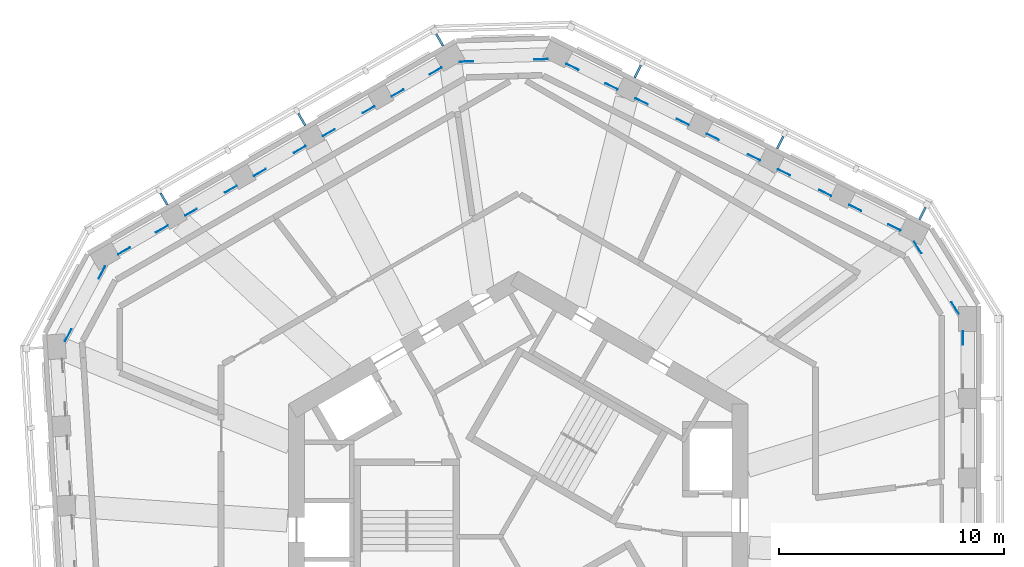
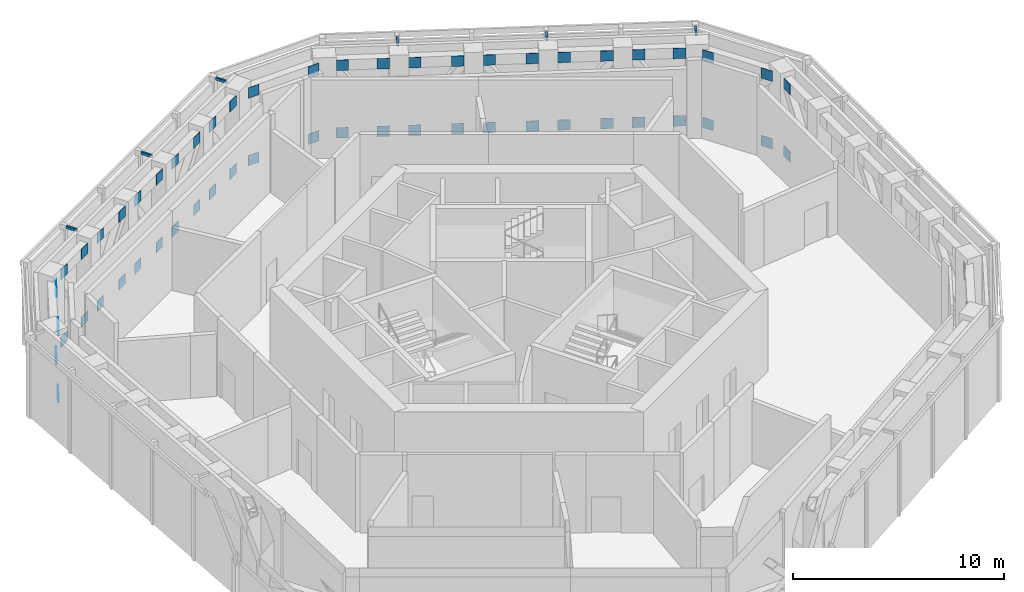
# One storey, part 13 of 14: 60 discrete accessories.
"""IFC4 building model written with IfcOpenShell, lengths in metres."""

from ifc_helpers import new_model, si_unit, direction, frame, origin, origin_2d, place, context, subcontext, project, spatial, rectangle, extrude, material, layer, layer_set, type_object, element, save


model = new_model("IFC4")

# Units and contexts
model_context = context("Model", 3, precision=1e-05, world=origin(), true_north=direction((0.0, 1.0)))
body_context = subcontext(model_context, "Body", "Model", "MODEL_VIEW")
ifc_project = project(units=[si_unit("LENGTHUNIT", "METRE"), si_unit("AREAUNIT", "SQUARE_METRE"), si_unit("VOLUMEUNIT", "CUBIC_METRE"), si_unit("PLANEANGLEUNIT", "RADIAN"), si_unit("MASSUNIT", "GRAM", prefix="KILO")], contexts=[model_context])

# Site, building, storey
site_placement = place(None, origin())
site = spatial("IfcSite", under=ifc_project, at=site_placement, CompositionType="ELEMENT")
building_placement = place(site_placement, origin())
building = spatial("IfcBuilding", under=site, at=building_placement, Name="Vanh Sen Convention Tower", CompositionType="ELEMENT")
storey_placement = place(building_placement, frame((0.0, 0.0, 255.0)))
storey = spatial("IfcBuildingStorey", under=building, at=storey_placement, Name="L63", CompositionType="ELEMENT", Elevation=255.0)

# Discrete accessories
ifc_material_1 = material(Name="Steel S355", Category="steel")
ifc_layer = layer(ifc_material_1, 0.02001953125)
ifc_layer_set = layer_set([ifc_layer], Name="Steel S355")
discrete_accessory_type_1 = type_object("IfcDiscreteAccessoryType", Name="Belt truss gusset plate 600 x 600 x 20", PredefinedType="USERDEFINED", material=ifc_layer_set)
for number, where, z_axis, x_axis, name in (
    (1, (19.739990234375, 8.8203125, 0.0), (0.0, 0.0, 1.0), (0.0, -1.0, 0.0), "GUSSET PLATE belt truss chord bottom 05 L63 end"),
    (2, (19.739990234375, 8.8203125, 3.89990234375), (0.0, 0.0, 1.0), (0.0, -1.0, 0.0), "GUSSET PLATE belt truss chord top 05 L63 end"),
    (3, (19.4033203125, 10.14990234375, 0.0), (0.0, 0.0, 1.0), (-0.526216891938, 0.850350388157, 0.0), "GUSSET PLATE belt truss chord bottom 06 L63 start"),
    (4, (17.7412109375, 12.835693359375, 0.0), (0.0, 0.0, 1.0), (0.526216891938, -0.850350388157, 0.0), "GUSSET PLATE belt truss chord bottom 06 L63 end"),
    (5, (19.4033203125, 10.14990234375, 3.89990234375), (0.0, 0.0, 1.0), (-0.526216891938, 0.850350388157, 0.0), "GUSSET PLATE belt truss chord top 06 L63 start"),
    (6, (17.7412109375, 12.835693359375, 3.89990234375), (0.0, 0.0, 1.0), (0.526216891938, -0.850350388157, 0.0), "GUSSET PLATE belt truss chord top 06 L63 end"),
    (7, (16.70166015625, 13.73046875, 0.0), (0.0, 0.0, 1.0), (-0.894930467757, 0.446205622868, 0.0), "GUSSET PLATE belt truss chord bottom 07 L63 start"),
    (8, (14.962158203125, 14.59765625, 0.0), (0.0, 0.0, 1.0), (0.894930467757, -0.446205622868, 0.0), "GUSSET PLATE belt truss chord bottom 07 L63 end"),
    (9, (16.70166015625, 13.73046875, 3.89990234375), (0.0, 0.0, 1.0), (-0.894930467757, 0.446205622868, 0.0), "GUSSET PLATE belt truss chord top 07 L63 start"),
    (10, (14.962158203125, 14.59765625, 3.89990234375), (0.0, 0.0, 1.0), (0.894930467757, -0.446205622868, 0.0), "GUSSET PLATE belt truss chord top 07 L63 end"),
    (11, (13.62890625, 15.262451171875, 0.0), (0.0, 0.0, 1.0), (-0.894935919121, 0.446194689197, 0.0), "GUSSET PLATE belt truss chord bottom 08 L63 start"),
    (12, (11.7998046875, 16.17431640625, 0.0), (0.0, 0.0, 1.0), (0.894935919121, -0.446194689197, 0.0), "GUSSET PLATE belt truss chord bottom 08 L63 end"),
    (13, (13.62890625, 15.262451171875, 3.89990234375), (0.0, 0.0, 1.0), (-0.894935919121, 0.446194689197, 0.0), "GUSSET PLATE belt truss chord top 08 L63 start"),
    (14, (11.7998046875, 16.17431640625, 3.89990234375), (0.0, 0.0, 1.0), (0.894935919121, -0.446194689197, 0.0), "GUSSET PLATE belt truss chord top 08 L63 end"),
    (15, (10.46630859375, 16.839111328125, 0.0), (0.0, 0.0, 1.0), (-0.894935919121, 0.446194689197, 0.0), "GUSSET PLATE belt truss chord bottom 09 L63 start"),
    (16, (8.637451171875, 17.751220703125, 0.0), (0.0, 0.0, 1.0), (0.894935919121, -0.446194689197, 0.0), "GUSSET PLATE belt truss chord bottom 09 L63 end"),
    (17, (10.46630859375, 16.839111328125, 3.89990234375), (0.0, 0.0, 1.0), (-0.894935919121, 0.446194689197, 0.0), "GUSSET PLATE belt truss chord top 09 L63 start"),
    (18, (8.637451171875, 17.751220703125, 3.89990234375), (0.0, 0.0, 1.0), (0.894935919121, -0.446194689197, 0.0), "GUSSET PLATE belt truss chord top 09 L63 end"),
    (19, (7.303955078125, 18.416015625, 0.0), (0.0, 0.0, 1.0), (-0.894935919121, 0.446194689197, 0.0), "GUSSET PLATE belt truss chord bottom 10 L63 start"),
    (20, (5.47509765625, 19.327880859375, 0.0), (0.0, 0.0, 1.0), (0.894935919121, -0.446194689197, 0.0), "GUSSET PLATE belt truss chord bottom 10 L63 end"),
    (21, (7.303955078125, 18.416015625, 3.89990234375), (0.0, 0.0, 1.0), (-0.894935919121, 0.446194689197, 0.0), "GUSSET PLATE belt truss chord top 10 L63 start"),
    (22, (5.47509765625, 19.327880859375, 3.89990234375), (0.0, 0.0, 1.0), (0.894935919121, -0.446194689197, 0.0), "GUSSET PLATE belt truss chord top 10 L63 end"),
    (23, (4.1416015625, 19.99267578125, 0.0), (0.0, 0.0, 1.0), (-0.894930467757, 0.446205622868, 0.0), "GUSSET PLATE belt truss chord bottom 11 L63 start"),
    (24, (2.402099609375, 20.85986328125, 0.0), (0.0, 0.0, 1.0), (0.894930467757, -0.446205622868, 0.0), "GUSSET PLATE belt truss chord bottom 11 L63 end"),
    (25, (4.1416015625, 19.99267578125, 3.89990234375), (0.0, 0.0, 1.0), (-0.894930467757, 0.446205622868, 0.0), "GUSSET PLATE belt truss chord top 11 L63 start"),
    (26, (2.402099609375, 20.85986328125, 3.89990234375), (0.0, 0.0, 1.0), (0.894930467757, -0.446205622868, 0.0), "GUSSET PLATE belt truss chord top 11 L63 end"),
    (27, (1.015625, 21.192626953125, 0.0), (0.0, 0.0, 1.0), (-0.999533377613, -0.03054549127, 0.0), "GUSSET PLATE belt truss chord bottom 12 L63 start"),
    (28, (-2.3076171875, 21.091064453125, 0.0), (0.0, 0.0, 1.0), (0.999533377613, 0.03054549127, 0.0), "GUSSET PLATE belt truss chord bottom 12 L63 end"),
    (29, (1.015625, 21.192626953125, 3.89990234375), (0.0, 0.0, 1.0), (-0.999533377613, -0.03054549127, 0.0), "GUSSET PLATE belt truss chord top 12 L63 start"),
    (30, (-2.3076171875, 21.091064453125, 3.89990234375), (0.0, 0.0, 1.0), (0.999533377613, 0.03054549127, 0.0), "GUSSET PLATE belt truss chord top 12 L63 end"),
    (31, (-3.671142578125, 20.67431640625, 0.0), (0.0, 0.0, 1.0), (-0.866026276448, -0.4999984885, 0.0), "GUSSET PLATE belt truss chord bottom 13 L63 start"),
    (32, (-5.3544921875, 19.702392578125, 0.0), (0.0, 0.0, 1.0), (0.866026276448, 0.4999984885, 0.0), "GUSSET PLATE belt truss chord bottom 13 L63 end"),
    (33, (-3.671142578125, 20.67431640625, 3.89990234375), (0.0, 0.0, 1.0), (-0.866026276448, -0.4999984885, 0.0), "GUSSET PLATE belt truss chord top 13 L63 start"),
    (34, (-5.3544921875, 19.702392578125, 3.89990234375), (0.0, 0.0, 1.0), (0.866026276448, 0.4999984885, 0.0), "GUSSET PLATE belt truss chord top 13 L63 end"),
    (35, (-6.644775390625, 18.95751953125, 0.0), (0.0, 0.0, 1.0), (-0.866026276448, -0.4999984885, 0.0), "GUSSET PLATE belt truss chord bottom 14 L63 start"),
    (36, (-8.41455078125, 17.935546875, 0.0), (0.0, 0.0, 1.0), (0.866026276448, 0.4999984885, 0.0), "GUSSET PLATE belt truss chord bottom 14 L63 end"),
    (37, (-6.644775390625, 18.95751953125, 3.89990234375), (0.0, 0.0, 1.0), (-0.866026276448, -0.4999984885, 0.0), "GUSSET PLATE belt truss chord top 14 L63 start"),
    (38, (-8.41455078125, 17.935546875, 3.89990234375), (0.0, 0.0, 1.0), (0.866026276448, 0.4999984885, 0.0), "GUSSET PLATE belt truss chord top 14 L63 end"),
    (39, (-9.705078125, 17.190673828125, 0.0), (0.0, 0.0, 1.0), (-0.866026276448, -0.4999984885, 0.0), "GUSSET PLATE belt truss chord bottom 15 L63 start"),
    (40, (-11.474853515625, 16.168701171875, 0.0), (0.0, 0.0, 1.0), (0.866026276448, 0.4999984885, 0.0), "GUSSET PLATE belt truss chord bottom 15 L63 end"),
    (41, (-9.705078125, 17.190673828125, 3.89990234375), (0.0, 0.0, 1.0), (-0.866026276448, -0.4999984885, 0.0), "GUSSET PLATE belt truss chord top 15 L63 start"),
    (42, (-11.474853515625, 16.168701171875, 3.89990234375), (0.0, 0.0, 1.0), (0.866026276448, 0.4999984885, 0.0), "GUSSET PLATE belt truss chord top 15 L63 end"),
    (43, (-12.76513671875, 15.423828125, 0.0), (0.0, 0.0, 1.0), (-0.866014058921, -0.500019649364, 0.0), "GUSSET PLATE belt truss chord bottom 16 L63 start"),
    (44, (-14.534912109375, 14.40185546875, 0.0), (0.0, 0.0, 1.0), (0.866014058921, 0.500019649364, 0.0), "GUSSET PLATE belt truss chord bottom 16 L63 end"),
    (45, (-12.76513671875, 15.423828125, 3.89990234375), (0.0, 0.0, 1.0), (-0.866014058921, -0.500019649364, 0.0), "GUSSET PLATE belt truss chord top 16 L63 start"),
    (46, (-14.534912109375, 14.40185546875, 3.89990234375), (0.0, 0.0, 1.0), (0.866014058921, 0.500019649364, 0.0), "GUSSET PLATE belt truss chord top 16 L63 end"),
    (47, (-15.825439453125, 13.656982421875, 0.0), (0.0, 0.0, 1.0), (-0.866033257659, -0.499986396443, 0.0), "GUSSET PLATE belt truss chord bottom 17 L63 start"),
    (48, (-17.5087890625, 12.68505859375, 0.0), (0.0, 0.0, 1.0), (0.866033257659, 0.499986396443, 0.0), "GUSSET PLATE belt truss chord bottom 17 L63 end"),
    (49, (-15.825439453125, 13.656982421875, 3.89990234375), (0.0, 0.0, 1.0), (-0.866033257659, -0.499986396443, 0.0), "GUSSET PLATE belt truss chord top 17 L63 start"),
    (50, (-17.5087890625, 12.68505859375, 3.89990234375), (0.0, 0.0, 1.0), (0.866033257659, 0.499986396443, 0.0), "GUSSET PLATE belt truss chord top 17 L63 end"),
    (51, (-18.49169921875, 11.728759765625, 0.0), (0.0, 0.0, 1.0), (-0.473304292669, -0.880898999058, 0.0), "GUSSET PLATE belt truss chord bottom 18 L63 start"),
    (52, (-19.98681640625, 8.9462890625, 0.0), (0.0, 0.0, 1.0), (0.473304292669, 0.880898999058, 0.0), "GUSSET PLATE belt truss chord bottom 18 L63 end"),
    (53, (-18.49169921875, 11.728759765625, 3.89990234375), (0.0, 0.0, 1.0), (-0.473304292669, -0.880898999058, 0.0), "GUSSET PLATE belt truss chord top 18 L63 start"),
    (54, (-19.98681640625, 8.9462890625, 3.89990234375), (0.0, 0.0, 1.0), (0.473304292669, 0.880898999058, 0.0), "GUSSET PLATE belt truss chord top 18 L63 end"),
):
    element("IfcDiscreteAccessory", number, at=place(storey_placement, frame(where, z_axis=z_axis, x_axis=x_axis)), inside=storey, type_object=discrete_accessory_type_1, Name=name, ObjectType="GUSSET PLATE", PredefinedType="USERDEFINED", context=body_context, shape_type="SweptSolid", body=[
        extrude(rectangle(XDim=0.60009765625, YDim=0.02001953125, at=origin_2d()), origin(), (0.0, 0.0, 1.0), 0.60009765625),
    ])
ifc_material_2 = material(Name="Steel S355", Category="steel")
discrete_accessory_type_2 = type_object("IfcDiscreteAccessoryType", Name="Fin bracket 100 x 150", PredefinedType="BRACKET", material=ifc_material_2)
for number, where, z_axis, x_axis, name in (
    (55, (17.953125, 14.3466796875, 4.60009765625), (0.0, 0.0, 1.0), (0.44619781311, 0.894934361602, 0.0), "Fin bracket NE-1 L63"),
    (56, (11.62841796875, 17.5, 4.60009765625), (0.0, 0.0, 1.0), (0.44619781311, 0.894934361602, 0.0), "Fin bracket NE-3 L63"),
    (57, (5.3037109375, 20.653564453125, 4.60009765625), (0.0, 0.0, 1.0), (0.44619781311, 0.894934361602, 0.0), "Fin bracket NE-5 L63"),
    (58, (-3.494384765625, 22.05810546875, 4.60009765625), (0.0, 0.0, 1.0), (-0.5, 0.866025403784, 0.0), "Fin bracket NW-1 L63"),
    (59, (-9.61474609375, 18.5244140625, 4.60009765625), (0.0, 0.0, 1.0), (-0.5, 0.866025403784, 0.0), "Fin bracket NW-3 L63"),
    (60, (-15.735107421875, 14.99072265625, 4.60009765625), (0.0, 0.0, 1.0), (-0.5, 0.866025403784, 0.0), "Fin bracket NW-5 L63"),
):
    element("IfcDiscreteAccessory", number, at=place(storey_placement, frame(where, z_axis=z_axis, x_axis=x_axis)), inside=storey, type_object=discrete_accessory_type_2, Name=name, PredefinedType="BRACKET", context=body_context, shape_type="SweptSolid", body=[
        extrude(rectangle(XDim=0.60009765625, YDim=0.10009765625, at=origin_2d()), origin(), (0.0, 0.0, 1.0), 0.14990234375),
    ])

save(model, "model.ifc")
